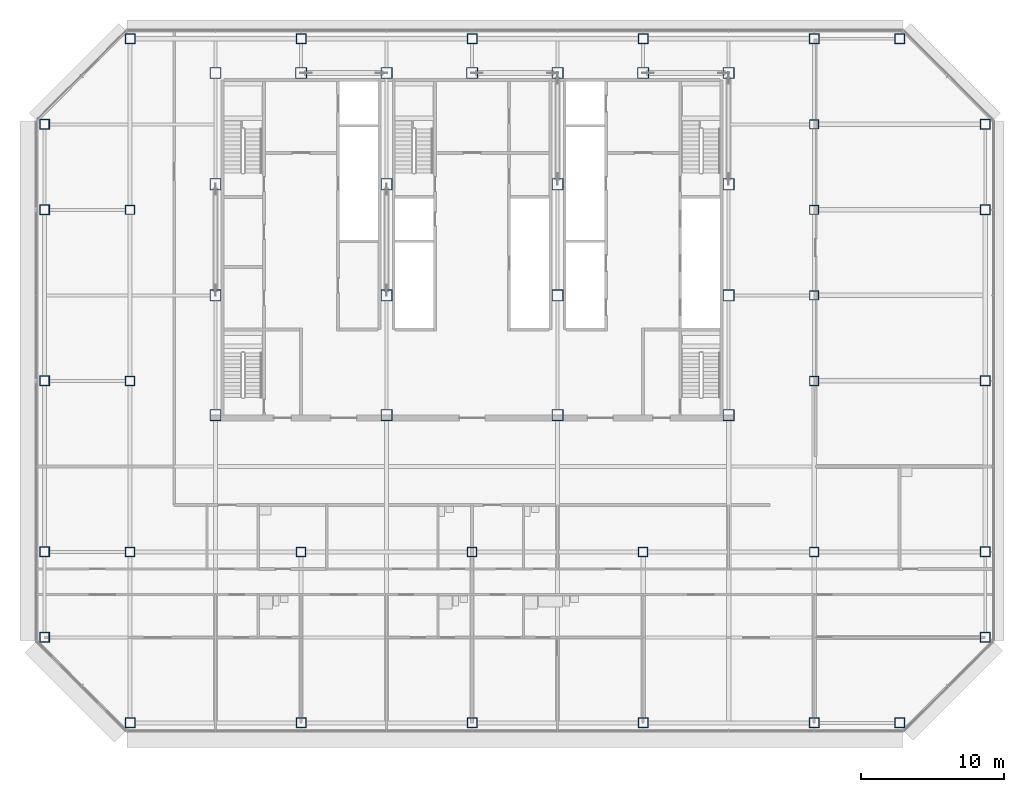
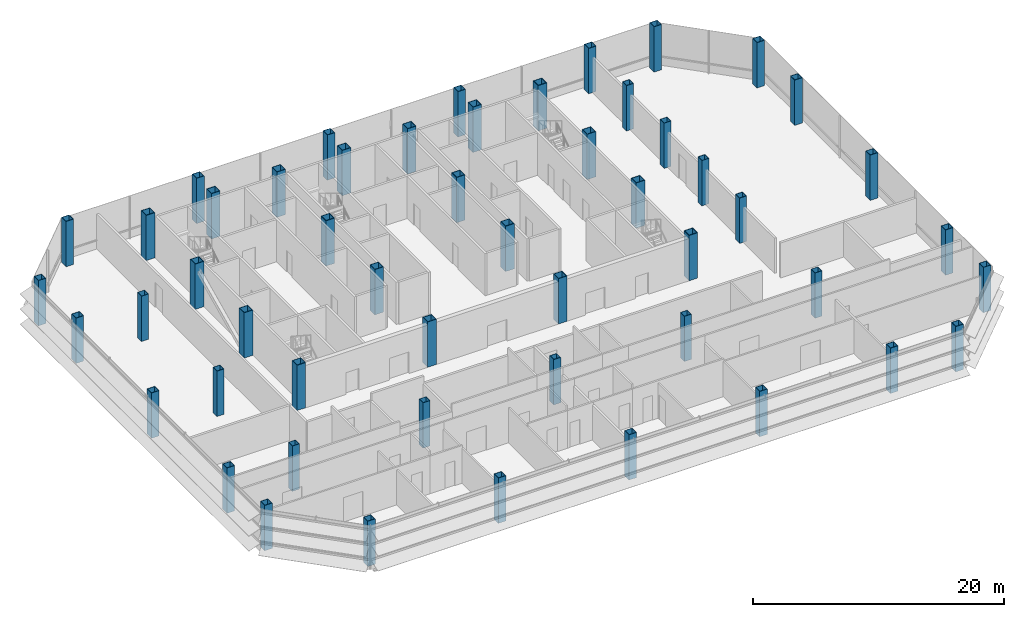
# One storey, part 1 of 26: 52 columns.
"""IFC4 building model written with IfcOpenShell, lengths in metres."""

from ifc_helpers import new_model, si_unit, direction, frame, origin, origin_2d, place, context, subcontext, project, spatial, hollow_rectangle, extrude, material, material_profile, profile_set, type_object, element, save


model = new_model("IFC4")

# Units and contexts
model_context = context("Model", 3, precision=1e-05, world=origin(), true_north=direction((0.0, 1.0)))
body_context = subcontext(model_context, "Body", "Model", "MODEL_VIEW")
ifc_project = project(units=[si_unit("LENGTHUNIT", "METRE"), si_unit("AREAUNIT", "SQUARE_METRE"), si_unit("VOLUMEUNIT", "CUBIC_METRE"), si_unit("PLANEANGLEUNIT", "RADIAN"), si_unit("MASSUNIT", "GRAM", prefix="KILO")], contexts=[model_context])

# Site, building, storey
site_placement = place(None, origin())
site = spatial("IfcSite", under=ifc_project, at=site_placement, CompositionType="ELEMENT")
building_placement = place(site_placement, origin())
building = spatial("IfcBuilding", under=site, at=building_placement, Name="Sorahane Residences", CompositionType="ELEMENT")
storey_placement = place(building_placement, frame((0.0, 0.0, 181.60009765625)))
storey = spatial("IfcBuildingStorey", under=building, at=storey_placement, Name="L42", CompositionType="ELEMENT", Elevation=181.60009765625)

# Columns
ifc_material_1 = material(Name="Steel Q355B", Category="steel")
ifc_material_profile_1 = material_profile(ifc_material_1, hollow_rectangle(XDim=0.64990234375, YDim=0.64990234375, WallThickness=0.031982421875, at=origin_2d()), Name="BOX 650x650x32")
ifc_profile_set_1 = profile_set([ifc_material_profile_1], Name="Steel Q355B")
column_type_1 = type_object("IfcColumnType", Name="Steel box column BOX 650x650x32 Q355B", PredefinedType="COLUMN", material=ifc_profile_set_1)
for number, where, z_axis, x_axis, name in (
    (1, (0.0, 12.0, 0.0), (0.0, 0.0, 1.0), (1.0, 0.0, 0.0), "Column L42 0/12"),
    (2, (0.0, 24.0, 0.0), (0.0, 0.0, 1.0), (1.0, 0.0, 0.0), "Column L42 0/24"),
    (3, (0.0, 36.0, 0.0), (0.0, 0.0, 1.0), (1.0, 0.0, 0.0), "Column L42 0/36"),
    (4, (12.0, 12.0, 0.0), (0.0, 0.0, 1.0), (1.0, 0.0, 0.0), "Column L42 12/12"),
    (5, (24.0, 12.0, 0.0), (0.0, 0.0, 1.0), (1.0, 0.0, 0.0), "Column L42 24/12"),
    (6, (36.0, 12.0, 0.0), (0.0, 0.0, 1.0), (1.0, 0.0, 0.0), "Column L42 36/12"),
    (7, (48.0, 12.0, 0.0), (0.0, 0.0, 1.0), (1.0, 0.0, 0.0), "Column L42 48/12"),
    (8, (48.0, 24.0, 0.0), (0.0, 0.0, 1.0), (1.0, 0.0, 0.0), "Column L42 48/24"),
    (9, (48.0, 30.0, 0.0), (0.0, 0.0, 1.0), (1.0, 0.0, 0.0), "Column L42 48/30"),
    (10, (48.0, 36.0, 0.0), (0.0, 0.0, 1.0), (1.0, 0.0, 0.0), "Column L42 48/36"),
    (11, (48.0, 42.0, 0.0), (0.0, 0.0, 1.0), (1.0, 0.0, 0.0), "Column L42 48/42"),
):
    element("IfcColumn", number, at=place(storey_placement, frame(where, z_axis=z_axis, x_axis=x_axis)), inside=storey, type_object=column_type_1, Name=name, PredefinedType="COLUMN", context=body_context, shape_type="SweptSolid", body=[
        extrude(hollow_rectangle(XDim=0.64990234375, YDim=0.64990234375, WallThickness=0.031982421875, at=origin_2d()), origin(), (0.0, 0.0, 1.0), 4.39990234375),
    ])
ifc_material_2 = material(Name="Steel Q355B", Category="steel")
ifc_material_profile_2 = material_profile(ifc_material_2, hollow_rectangle(XDim=0.699951171875, YDim=0.699951171875, WallThickness=0.035888671875, at=origin_2d()), Name="BOX 700x700x36")
ifc_profile_set_2 = profile_set([ifc_material_profile_2], Name="Steel Q355B")
column_type_2 = type_object("IfcColumnType", Name="Steel box column BOX 700x700x36 Q355B", PredefinedType="COLUMN", material=ifc_profile_set_2)
for number, where, z_axis, x_axis, name in (
    (12, (-6.0, 6.0, 0.0), (0.0, 0.0, 1.0), (1.0, 0.0, 0.0), "Column L42 m6/6"),
    (13, (-6.0, 12.0, 0.0), (0.0, 0.0, 1.0), (1.0, 0.0, 0.0), "Column L42 m6/12"),
    (14, (-6.0, 24.0, 0.0), (0.0, 0.0, 1.0), (1.0, 0.0, 0.0), "Column L42 m6/24"),
    (15, (-6.0, 36.0, 0.0), (0.0, 0.0, 1.0), (1.0, 0.0, 0.0), "Column L42 m6/36"),
    (16, (-6.0, 42.0, 0.0), (0.0, 0.0, 1.0), (1.0, 0.0, 0.0), "Column L42 m6/42"),
    (17, (0.0, 0.0, 0.0), (0.0, 0.0, 1.0), (1.0, 0.0, 0.0), "Column L42 0/0"),
    (18, (0.0, 48.0, 0.0), (0.0, 0.0, 1.0), (1.0, 0.0, 0.0), "Column L42 0/48"),
    (19, (12.0, 0.0, 0.0), (0.0, 0.0, 1.0), (1.0, 0.0, 0.0), "Column L42 12/0"),
    (20, (12.0, 48.0, 0.0), (0.0, 0.0, 1.0), (1.0, 0.0, 0.0), "Column L42 12/48"),
    (21, (24.0, 0.0, 0.0), (0.0, 0.0, 1.0), (1.0, 0.0, 0.0), "Column L42 24/0"),
    (22, (24.0, 48.0, 0.0), (0.0, 0.0, 1.0), (1.0, 0.0, 0.0), "Column L42 24/48"),
    (23, (36.0, 0.0, 0.0), (0.0, 0.0, 1.0), (1.0, 0.0, 0.0), "Column L42 36/0"),
    (24, (36.0, 48.0, 0.0), (0.0, 0.0, 1.0), (1.0, 0.0, 0.0), "Column L42 36/48"),
    (25, (48.0, 0.0, 0.0), (0.0, 0.0, 1.0), (1.0, 0.0, 0.0), "Column L42 48/0"),
    (26, (48.0, 48.0, 0.0), (0.0, 0.0, 1.0), (1.0, 0.0, 0.0), "Column L42 48/48"),
    (27, (54.0, 0.0, 0.0), (0.0, 0.0, 1.0), (1.0, 0.0, 0.0), "Column L42 54/0"),
    (28, (54.0, 48.0, 0.0), (0.0, 0.0, 1.0), (1.0, 0.0, 0.0), "Column L42 54/48"),
    (29, (60.0, 6.0, 0.0), (0.0, 0.0, 1.0), (1.0, 0.0, 0.0), "Column L42 60/6"),
    (30, (60.0, 12.0, 0.0), (0.0, 0.0, 1.0), (1.0, 0.0, 0.0), "Column L42 60/12"),
    (31, (60.0, 24.0, 0.0), (0.0, 0.0, 1.0), (1.0, 0.0, 0.0), "Column L42 60/24"),
    (32, (60.0, 36.0, 0.0), (0.0, 0.0, 1.0), (1.0, 0.0, 0.0), "Column L42 60/36"),
    (33, (60.0, 42.0, 0.0), (0.0, 0.0, 1.0), (1.0, 0.0, 0.0), "Column L42 60/42"),
):
    element("IfcColumn", number, at=place(storey_placement, frame(where, z_axis=z_axis, x_axis=x_axis)), inside=storey, type_object=column_type_2, Name=name, PredefinedType="COLUMN", context=body_context, shape_type="SweptSolid", body=[
        extrude(hollow_rectangle(XDim=0.699951171875, YDim=0.699951171875, WallThickness=0.035888671875, at=origin_2d()), origin(), (0.0, 0.0, 1.0), 4.39990234375),
    ])
ifc_material_3 = material(Name="Steel Q420GJ", Category="steel")
ifc_material_profile_3 = material_profile(ifc_material_3, hollow_rectangle(XDim=0.800048828125, YDim=0.800048828125, WallThickness=0.044921875, at=origin_2d()), Name="BOX 800x800x45")
ifc_profile_set_3 = profile_set([ifc_material_profile_3], Name="Steel Q420GJ")
column_type_3 = type_object("IfcColumnType", Name="Steel box column BOX 800x800x45 Q420GJ", PredefinedType="COLUMN", material=ifc_profile_set_3)
for number, where, z_axis, x_axis, name in (
    (34, (6.0, 21.60009765625, 0.0), (0.0, 0.0, 1.0), (1.0, 0.0, 0.0), "Column L42 6/21.6"),
    (35, (6.0, 30.0, 0.0), (0.0, 0.0, 1.0), (1.0, 0.0, 0.0), "Column L42 6/30"),
    (36, (6.0, 37.800048828125, 0.0), (0.0, 0.0, 1.0), (1.0, 0.0, 0.0), "Column L42 6/37.8"),
    (37, (6.0, 45.60009765625, 0.0), (0.0, 0.0, 1.0), (1.0, 0.0, 0.0), "Column L42 6/45.6"),
    (38, (12.0, 45.60009765625, 0.0), (0.0, 0.0, 1.0), (1.0, 0.0, 0.0), "Column L42 12/45.6"),
    (39, (18.0, 21.60009765625, 0.0), (0.0, 0.0, 1.0), (1.0, 0.0, 0.0), "Column L42 18/21.6"),
    (40, (18.0, 30.0, 0.0), (0.0, 0.0, 1.0), (1.0, 0.0, 0.0), "Column L42 18/30"),
    (41, (18.0, 37.800048828125, 0.0), (0.0, 0.0, 1.0), (1.0, 0.0, 0.0), "Column L42 18/37.8"),
    (42, (18.0, 45.60009765625, 0.0), (0.0, 0.0, 1.0), (1.0, 0.0, 0.0), "Column L42 18/45.6"),
    (43, (24.0, 45.60009765625, 0.0), (0.0, 0.0, 1.0), (1.0, 0.0, 0.0), "Column L42 24/45.6"),
    (44, (30.0, 21.60009765625, 0.0), (0.0, 0.0, 1.0), (1.0, 0.0, 0.0), "Column L42 30/21.6"),
    (45, (30.0, 30.0, 0.0), (0.0, 0.0, 1.0), (1.0, 0.0, 0.0), "Column L42 30/30"),
    (46, (30.0, 37.800048828125, 0.0), (0.0, 0.0, 1.0), (1.0, 0.0, 0.0), "Column L42 30/37.8"),
    (47, (30.0, 45.60009765625, 0.0), (0.0, 0.0, 1.0), (1.0, 0.0, 0.0), "Column L42 30/45.6"),
    (48, (36.0, 45.60009765625, 0.0), (0.0, 0.0, 1.0), (1.0, 0.0, 0.0), "Column L42 36/45.6"),
    (49, (42.0, 21.60009765625, 0.0), (0.0, 0.0, 1.0), (1.0, 0.0, 0.0), "Column L42 42/21.6"),
    (50, (42.0, 30.0, 0.0), (0.0, 0.0, 1.0), (1.0, 0.0, 0.0), "Column L42 42/30"),
    (51, (42.0, 37.800048828125, 0.0), (0.0, 0.0, 1.0), (1.0, 0.0, 0.0), "Column L42 42/37.8"),
    (52, (42.0, 45.60009765625, 0.0), (0.0, 0.0, 1.0), (1.0, 0.0, 0.0), "Column L42 42/45.6"),
):
    element("IfcColumn", number, at=place(storey_placement, frame(where, z_axis=z_axis, x_axis=x_axis)), inside=storey, type_object=column_type_3, Name=name, PredefinedType="COLUMN", context=body_context, shape_type="SweptSolid", body=[
        extrude(hollow_rectangle(XDim=0.800048828125, YDim=0.800048828125, WallThickness=0.044921875, at=origin_2d()), origin(), (0.0, 0.0, 1.0), 4.39990234375),
    ])

save(model, "model.ifc")
